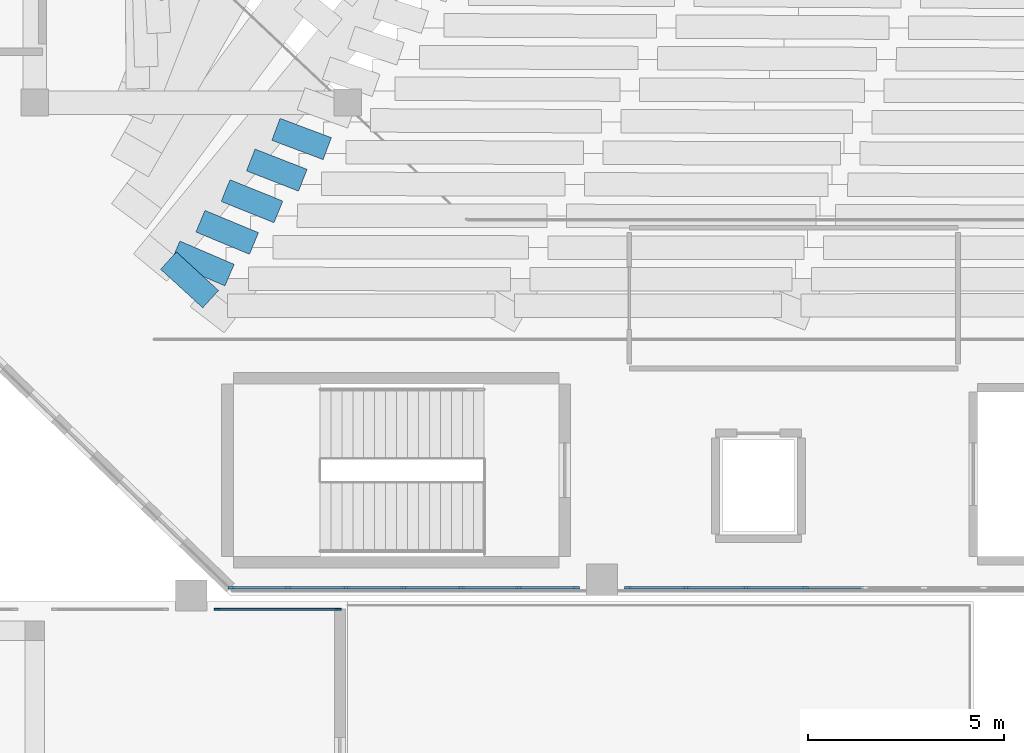
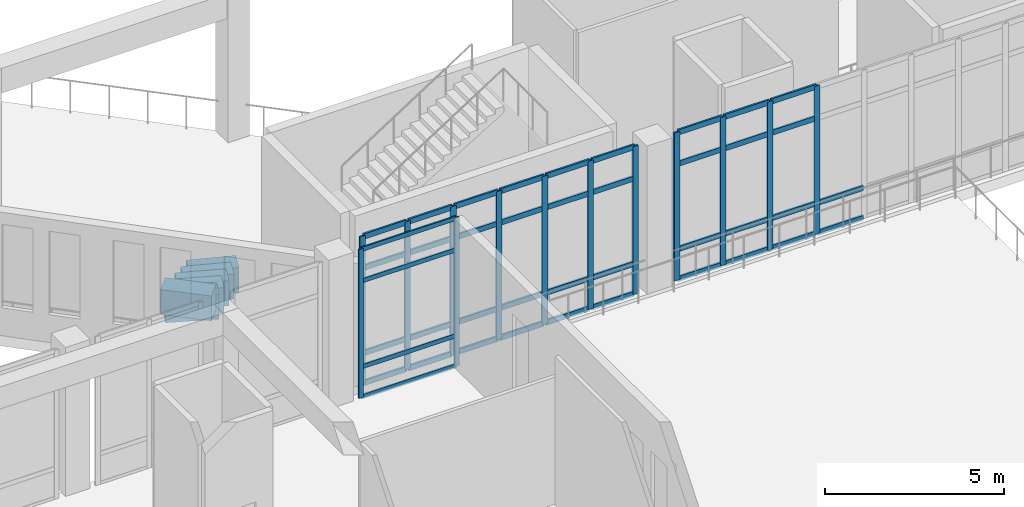
# One storey, part 6 of 55: 55 members, 6 beams, 3 elements without a shape of their own.
"""IFC4 building model written with IfcOpenShell, lengths in metres."""

from ifc_helpers import new_model, si_unit, derived_unit, direction, frame, origin, origin_2d, place, context, subcontext, project, spatial, rectangle, extrude, material, layer, layer_set, material_profile, profile_set, type_object, element, aggregate, save


model = new_model("IFC4")

# Units and contexts
model_context = context("Model", 3, precision=1e-05, world=origin(), true_north=direction((0.0, 1.0)))
body_context = subcontext(model_context, "Body", "Model", "MODEL_VIEW")
ifc_project = project(units=[si_unit("LENGTHUNIT", "METRE"), si_unit("AREAUNIT", "SQUARE_METRE"), si_unit("VOLUMEUNIT", "CUBIC_METRE"), si_unit("PLANEANGLEUNIT", "RADIAN"), si_unit("MASSUNIT", "GRAM", prefix="KILO"), derived_unit("THERMALTRANSMITTANCEUNIT", [(si_unit("MASSUNIT", "GRAM", prefix="KILO"), 1), (si_unit("TIMEUNIT", "SECOND"), -3), (si_unit("THERMODYNAMICTEMPERATUREUNIT", "KELVIN"), -1)])], contexts=[model_context])

# Site, building, storey
site_placement = place(None, origin())
site = spatial("IfcSite", under=ifc_project, at=site_placement, CompositionType="ELEMENT")
building_placement = place(site_placement, origin())
building = spatial("IfcBuilding", under=site, at=building_placement, Name="Valcora Ridge Arena", CompositionType="ELEMENT")
storey_placement = place(building_placement, frame((0.0, 0.0, 21.0)))
storey = spatial("IfcBuildingStorey", under=building, at=storey_placement, Name="L04", CompositionType="ELEMENT", Elevation=21.0)

# Beams
ifc_material_1 = material(Name="Concrete C40/50", Category="concrete")
ifc_material_profile_1 = material_profile(ifc_material_1, rectangle(XDim=0.60009765625, YDim=0.85009765625, at=origin_2d()), Name="RC 600x850")
ifc_profile_set_1 = profile_set([ifc_material_profile_1], Name="Concrete C40/50")
beam_type = type_object("IfcBeamType", Name="TY-BEAM-B-RC600-X", PredefinedType="BEAM", material=ifc_profile_set_1)
beam_1_placement = place(storey_placement, frame((30.165771484375, 31.914794921875, -3.905029296875), z_axis=(0.935819809838, -0.352478770304, 0.0), x_axis=(0.352478770304, 0.935819809838, 0.0)))
element("IfcBeam", 1, at=beam_1_placement, inside=storey, type_object=beam_type, Name="B-RC600-X BEM-RU3-B-RC600-X-0367", PredefinedType="BEAM", context=body_context, shape_type="SweptSolid", body=[
    extrude(rectangle(XDim=0.60009765625, YDim=0.85009765625, at=origin_2d()), origin(), (0.0, 0.0, 1.0), 1.401123046875),
])
beam_2_placement = place(storey_placement, frame((29.52197265625, 31.131591796875, -3.425048828125), z_axis=(0.931763874775, -0.363064844986, 0.0), x_axis=(0.363064844986, 0.931763874775, 0.0)))
element("IfcBeam", 2, at=beam_2_placement, inside=storey, type_object=beam_type, Name="B-RC600-X BEM-RU3-B-RC600-X-0397", PredefinedType="BEAM", context=body_context, shape_type="SweptSolid", body=[
    extrude(rectangle(XDim=0.60009765625, YDim=0.85009765625, at=origin_2d()), origin(), (0.0, 0.0, 1.0), 1.42822265625),
])
beam_3_placement = place(storey_placement, frame((28.87841796875, 30.3486328125, -2.945068359375), z_axis=(0.927606532512, -0.373558724757, 0.0), x_axis=(0.373558724757, 0.927606532512, 0.0)))
element("IfcBeam", 3, at=beam_3_placement, inside=storey, type_object=beam_type, Name="B-RC600-X BEM-RU3-B-RC600-X-0429", PredefinedType="BEAM", context=body_context, shape_type="SweptSolid", body=[
    extrude(rectangle(XDim=0.60009765625, YDim=0.85009765625, at=origin_2d()), origin(), (0.0, 0.0, 1.0), 1.45556640625),
])
beam_4_placement = place(storey_placement, frame((28.23486328125, 29.56591796875, -2.465087890625), z_axis=(0.923432099085, -0.383761851126, 0.0), x_axis=(0.383761851126, 0.923432099085, 0.0)))
element("IfcBeam", 4, at=beam_4_placement, inside=storey, type_object=beam_type, Name="B-RC600-X BEM-RU3-B-RC600-X-0461", PredefinedType="BEAM", context=body_context, shape_type="SweptSolid", body=[
    extrude(rectangle(XDim=0.60009765625, YDim=0.85009765625, at=origin_2d()), origin(), (0.0, 0.0, 1.0), 1.48291015625),
])
beam_5_placement = place(storey_placement, frame((27.59130859375, 28.783203125, -1.985107421875), z_axis=(0.919303790342, -0.393548651456, 0.0), x_axis=(0.393548651456, 0.919303790342, 0.0)))
element("IfcBeam", 5, at=beam_5_placement, inside=storey, type_object=beam_type, Name="B-RC600-X BEM-RU3-B-RC600-X-0493", PredefinedType="BEAM", context=body_context, shape_type="SweptSolid", body=[
    extrude(rectangle(XDim=0.60009765625, YDim=0.85009765625, at=origin_2d()), origin(), (0.0, 0.0, 1.0), 1.510498046875),
])
beam_6_placement = place(storey_placement, frame((27.4189453125, 28.558837890625, -1.5048828125), z_axis=(0.738083531523, -0.674709345196, 0.0), x_axis=(0.674709345196, 0.738083531523, 0.0)))
element("IfcBeam", 6, at=beam_6_placement, inside=storey, type_object=beam_type, Name="B-RC600-X BEM-RU3-B-RC600-X-0525", PredefinedType="BEAM", context=body_context, shape_type="SweptSolid", body=[
    extrude(rectangle(XDim=0.60009765625, YDim=0.85009765625, at=origin_2d()), origin(), (0.0, 0.0, 1.0), 1.4599609375),
])

# Curtain wall, members
ifc_material_2 = material(Name="Anodised dark bronze architectural aluminium 6063-T6", Category="aluminium")
ifc_layer_1 = layer(ifc_material_2, 0.14990234375, Name="Anodised dark bronze architectural aluminium 6063-T6")
ifc_layer_set_1 = layer_set([ifc_layer_1], Name="Anodised dark bronze architectural aluminium 6063-T6")
curtain_wall_type_1 = type_object("IfcCurtainWallType", Name="TY-CURTAINWALL-CW-V4-CLUB-031X51", PredefinedType="NOTDEFINED", material=ifc_layer_set_1)
curtain_wall_1_placement = place(storey_placement, origin())
curtain_wall_1 = element("IfcCurtainWall", 7, at=curtain_wall_1_placement, inside=storey, type_object=curtain_wall_type_1, Name="CW-V4-CLUB-031X51 CW-0303", PredefinedType="NOTDEFINED")
ifc_material_profile_2 = material_profile(ifc_material_2, rectangle(XDim=0.050048828125, YDim=0.14990234375, at=origin_2d()), Name="ALU MULLION 50x150")
ifc_profile_set_2 = profile_set([ifc_material_profile_2], Name="Anodised dark bronze architectural aluminium 6063-T6")
member_type_1 = type_object("IfcMemberType", Name="TY-MEM-CWM-50x150", PredefinedType="MULLION", material=ifc_profile_set_2)
member_1_placement = place(storey_placement, frame((28.6650390625, 19.64990234375, 0.0), z_axis=(0.0, 0.0, 1.0), x_axis=(0.0, 1.0, 0.0)))
member_1 = element("IfcMember", 8, at=member_1_placement, type_object=member_type_1, Name="CW-0303/CWM-50x150/M00", PredefinedType="MULLION", context=body_context, shape_type="SweptSolid", body=[
    extrude(rectangle(XDim=0.050048828125, YDim=0.14990234375, at=origin_2d()), origin(), (0.0, 0.0, 1.0), 5.080078125),
])
member_2_placement = place(storey_placement, frame((31.7548828125, 19.64990234375, 0.0), z_axis=(0.0, 0.0, 1.0), x_axis=(0.0, 1.0, 0.0)))
member_2 = element("IfcMember", 9, at=member_2_placement, type_object=member_type_1, Name="CW-0303/CWM-50x150/M01", PredefinedType="MULLION", context=body_context, shape_type="SweptSolid", body=[
    extrude(rectangle(XDim=0.050048828125, YDim=0.14990234375, at=origin_2d()), origin(), (0.0, 0.0, 1.0), 5.080078125),
])

ifc_layer_2 = layer(ifc_material_2, 0.179931640625, Name="Anodised dark bronze architectural aluminium 6063-T6")
ifc_layer_set_2 = layer_set([ifc_layer_2], Name="Anodised dark bronze architectural aluminium 6063-T6")
curtain_wall_type_2 = type_object("IfcCurtainWallType", Name="TY-CURTAINWALL-CW-V1-GOTH-089X51", PredefinedType="NOTDEFINED", material=ifc_layer_set_2)
curtain_wall_2_placement = place(storey_placement, origin())
curtain_wall_2 = element("IfcCurtainWall", 10, at=curtain_wall_2_placement, inside=storey, type_object=curtain_wall_type_2, Name="CW-V1-GOTH-089X51 CW-0153", PredefinedType="NOTDEFINED")
ifc_material_profile_3 = material_profile(ifc_material_2, rectangle(XDim=0.06005859375, YDim=0.179931640625, at=origin_2d()), Name="ALU MULLION 60x180")
ifc_profile_set_3 = profile_set([ifc_material_profile_3], Name="Anodised dark bronze architectural aluminium 6063-T6")
member_type_2 = type_object("IfcMemberType", Name="TY-MEM-CWM-60x180", PredefinedType="MULLION", material=ifc_profile_set_3)
member_3_placement = place(storey_placement, frame((29.030029296875, 20.199951171875, 0.0), z_axis=(0.0, 0.0, 1.0), x_axis=(0.0, 1.0, 0.0)))
member_3 = element("IfcMember", 11, at=member_3_placement, type_object=member_type_2, Name="CW-0153/CWM-60x180/M00", PredefinedType="MULLION", context=body_context, shape_type="SweptSolid", body=[
    extrude(rectangle(XDim=0.06005859375, YDim=0.179931640625, at=origin_2d()), origin(), (0.0, 0.0, 1.0), 5.06005859375),
])
member_4_placement = place(storey_placement, frame((30.476806640625, 20.199951171875, 0.0), z_axis=(0.0, 0.0, 1.0), x_axis=(0.0, 1.0, 0.0)))
member_4 = element("IfcMember", 12, at=member_4_placement, type_object=member_type_2, Name="CW-0153/CWM-60x180/M01", PredefinedType="MULLION", context=body_context, shape_type="SweptSolid", body=[
    extrude(rectangle(XDim=0.06005859375, YDim=0.179931640625, at=origin_2d()), origin(), (0.0, 0.0, 1.0), 5.06005859375),
])
member_5_placement = place(storey_placement, frame((31.953369140625, 20.199951171875, 0.0), z_axis=(0.0, 0.0, 1.0), x_axis=(0.0, 1.0, 0.0)))
member_5 = element("IfcMember", 13, at=member_5_placement, type_object=member_type_2, Name="CW-0153/CWM-60x180/M02", PredefinedType="MULLION", context=body_context, shape_type="SweptSolid", body=[
    extrude(rectangle(XDim=0.06005859375, YDim=0.179931640625, at=origin_2d()), origin(), (0.0, 0.0, 1.0), 5.06005859375),
])
member_6_placement = place(storey_placement, frame((33.429931640625, 20.199951171875, 0.0), z_axis=(0.0, 0.0, 1.0), x_axis=(0.0, 1.0, 0.0)))
member_6 = element("IfcMember", 14, at=member_6_placement, type_object=member_type_2, Name="CW-0153/CWM-60x180/M03", PredefinedType="MULLION", context=body_context, shape_type="SweptSolid", body=[
    extrude(rectangle(XDim=0.06005859375, YDim=0.179931640625, at=origin_2d()), origin(), (0.0, 0.0, 1.0), 5.06005859375),
])
member_7_placement = place(storey_placement, frame((34.90673828125, 20.199951171875, 0.0), z_axis=(0.0, 0.0, 1.0), x_axis=(0.0, 1.0, 0.0)))
member_7 = element("IfcMember", 15, at=member_7_placement, type_object=member_type_2, Name="CW-0153/CWM-60x180/M04", PredefinedType="MULLION", context=body_context, shape_type="SweptSolid", body=[
    extrude(rectangle(XDim=0.06005859375, YDim=0.179931640625, at=origin_2d()), origin(), (0.0, 0.0, 1.0), 5.06005859375),
])
member_8_placement = place(storey_placement, frame((36.38330078125, 20.199951171875, 0.0), z_axis=(0.0, 0.0, 1.0), x_axis=(0.0, 1.0, 0.0)))
member_8 = element("IfcMember", 16, at=member_8_placement, type_object=member_type_2, Name="CW-0153/CWM-60x180/M05", PredefinedType="MULLION", context=body_context, shape_type="SweptSolid", body=[
    extrude(rectangle(XDim=0.06005859375, YDim=0.179931640625, at=origin_2d()), origin(), (0.0, 0.0, 1.0), 5.06005859375),
])
member_9_placement = place(storey_placement, frame((37.830078125, 20.199951171875, 0.0), z_axis=(0.0, 0.0, 1.0), x_axis=(0.0, 1.0, 0.0)))
member_9 = element("IfcMember", 17, at=member_9_placement, type_object=member_type_2, Name="CW-0153/CWM-60x180/M06", PredefinedType="MULLION", context=body_context, shape_type="SweptSolid", body=[
    extrude(rectangle(XDim=0.06005859375, YDim=0.179931640625, at=origin_2d()), origin(), (0.0, 0.0, 1.0), 5.06005859375),
])

ifc_layer_3 = layer(ifc_material_2, 0.179931640625, Name="Anodised dark bronze architectural aluminium 6063-T6")
ifc_layer_set_3 = layer_set([ifc_layer_3], Name="Anodised dark bronze architectural aluminium 6063-T6")
curtain_wall_type_3 = type_object("IfcCurtainWallType", Name="TY-CURTAINWALL-CW-V1-GOTH-182X51", PredefinedType="NOTDEFINED", material=ifc_layer_set_3)
curtain_wall_3_placement = place(storey_placement, origin())
curtain_wall_3 = element("IfcCurtainWall", 18, at=curtain_wall_3_placement, inside=storey, type_object=curtain_wall_type_3, Name="CW-V1-GOTH-182X51 CW-0154", PredefinedType="NOTDEFINED")
member_10_placement = place(storey_placement, frame((39.169921875, 20.199951171875, 0.0), z_axis=(0.0, 0.0, 1.0), x_axis=(0.0, 1.0, 0.0)))
member_10 = element("IfcMember", 19, at=member_10_placement, type_object=member_type_2, Name="CW-0154/CWM-60x180/M00", PredefinedType="MULLION", context=body_context, shape_type="SweptSolid", body=[
    extrude(rectangle(XDim=0.06005859375, YDim=0.179931640625, at=origin_2d()), origin(), (0.0, 0.0, 1.0), 5.06005859375),
])
member_11_placement = place(storey_placement, frame((40.658203125, 20.199951171875, 0.0), z_axis=(0.0, 0.0, 1.0), x_axis=(0.0, 1.0, 0.0)))
member_11 = element("IfcMember", 20, at=member_11_placement, type_object=member_type_2, Name="CW-0154/CWM-60x180/M01", PredefinedType="MULLION", context=body_context, shape_type="SweptSolid", body=[
    extrude(rectangle(XDim=0.06005859375, YDim=0.179931640625, at=origin_2d()), origin(), (0.0, 0.0, 1.0), 5.06005859375),
])
member_12_placement = place(storey_placement, frame((42.1767578125, 20.199951171875, 0.0), z_axis=(0.0, 0.0, 1.0), x_axis=(0.0, 1.0, 0.0)))
member_12 = element("IfcMember", 21, at=member_12_placement, type_object=member_type_2, Name="CW-0154/CWM-60x180/M02", PredefinedType="MULLION", context=body_context, shape_type="SweptSolid", body=[
    extrude(rectangle(XDim=0.06005859375, YDim=0.179931640625, at=origin_2d()), origin(), (0.0, 0.0, 1.0), 5.06005859375),
])
member_13_placement = place(storey_placement, frame((43.695068359375, 20.199951171875, 0.0), z_axis=(0.0, 0.0, 1.0), x_axis=(0.0, 1.0, 0.0)))
member_13 = element("IfcMember", 22, at=member_13_placement, type_object=member_type_2, Name="CW-0154/CWM-60x180/M03", PredefinedType="MULLION", context=body_context, shape_type="SweptSolid", body=[
    extrude(rectangle(XDim=0.06005859375, YDim=0.179931640625, at=origin_2d()), origin(), (0.0, 0.0, 1.0), 5.06005859375),
])

# Member
ifc_material_profile_4 = material_profile(ifc_material_2, rectangle(XDim=0.050048828125, YDim=0.14990234375, at=origin_2d()), Name="ALU TRANSOM 50x150")
ifc_profile_set_4 = profile_set([ifc_material_profile_4], Name="Anodised dark bronze architectural aluminium 6063-T6")
member_type_3 = type_object("IfcMemberType", Name="TY-MEM-CWT-50x150", PredefinedType="USERDEFINED", material=ifc_profile_set_4)
member_14_placement = place(storey_placement, frame((28.68994140625, 19.64990234375, 0.02490234375), z_axis=(1.0, 0.0, 0.0), x_axis=(0.0, 1.0, 0.0)))
member_14 = element("IfcMember", 23, at=member_14_placement, type_object=member_type_3, Name="CW-0303/CWT-50x150/T00-00", ObjectType="TRANSOM", PredefinedType="USERDEFINED", context=body_context, shape_type="SweptSolid", body=[
    extrude(rectangle(XDim=0.050048828125, YDim=0.14990234375, at=origin_2d()), origin(), (0.0, 0.0, 1.0), 3.0400390625),
])

member_15_placement = place(storey_placement, frame((28.68994140625, 19.64990234375, 1.050048828125), z_axis=(1.0, 0.0, 0.0), x_axis=(0.0, 1.0, 0.0)))
member_15 = element("IfcMember", 24, at=member_15_placement, type_object=member_type_3, Name="CW-0303/CWT-50x150/T00-01", ObjectType="TRANSOM", PredefinedType="USERDEFINED", context=body_context, shape_type="SweptSolid", body=[
    extrude(rectangle(XDim=0.050048828125, YDim=0.14990234375, at=origin_2d()), origin(), (0.0, 0.0, 1.0), 3.0400390625),
])

member_16_placement = place(storey_placement, frame((28.68994140625, 19.64990234375, 3.97998046875), z_axis=(1.0, 0.0, 0.0), x_axis=(0.0, 1.0, 0.0)))
member_16 = element("IfcMember", 25, at=member_16_placement, type_object=member_type_3, Name="CW-0303/CWT-50x150/T00-02", ObjectType="TRANSOM", PredefinedType="USERDEFINED", context=body_context, shape_type="SweptSolid", body=[
    extrude(rectangle(XDim=0.050048828125, YDim=0.14990234375, at=origin_2d()), origin(), (0.0, 0.0, 1.0), 3.0400390625),
])

member_17_placement = place(storey_placement, frame((28.68994140625, 19.64990234375, 5.054931640625), z_axis=(1.0, 0.0, 0.0), x_axis=(0.0, 1.0, 0.0)))
member_17 = element("IfcMember", 26, at=member_17_placement, type_object=member_type_3, Name="CW-0303/CWT-50x150/T00-03", ObjectType="TRANSOM", PredefinedType="USERDEFINED", context=body_context, shape_type="SweptSolid", body=[
    extrude(rectangle(XDim=0.050048828125, YDim=0.14990234375, at=origin_2d()), origin(), (0.0, 0.0, 1.0), 3.0400390625),
])

aggregate(curtain_wall_1, [member_1, member_2, member_14, member_15, member_16, member_17])

ifc_material_profile_5 = material_profile(ifc_material_2, rectangle(XDim=0.06005859375, YDim=0.179931640625, at=origin_2d()), Name="ALU TRANSOM 60x180")
ifc_profile_set_5 = profile_set([ifc_material_profile_5], Name="Anodised dark bronze architectural aluminium 6063-T6")
member_type_4 = type_object("IfcMemberType", Name="TY-MEM-CWT-60x180", PredefinedType="USERDEFINED", material=ifc_profile_set_5)
member_18_placement = place(storey_placement, frame((29.06005859375, 20.199951171875, 0.030029296875), z_axis=(1.0, 0.0, 0.0), x_axis=(0.0, 1.0, 0.0)))
member_18 = element("IfcMember", 27, at=member_18_placement, type_object=member_type_4, Name="CW-0153/CWT-60x180/T00-00", ObjectType="TRANSOM", PredefinedType="USERDEFINED", context=body_context, shape_type="SweptSolid", body=[
    extrude(rectangle(XDim=0.06005859375, YDim=0.179931640625, at=origin_2d()), origin(), (0.0, 0.0, 1.0), 1.386962890625),
])

member_19_placement = place(storey_placement, frame((29.06005859375, 20.199951171875, 1.050048828125), z_axis=(1.0, 0.0, 0.0), x_axis=(0.0, 1.0, 0.0)))
member_19 = element("IfcMember", 28, at=member_19_placement, type_object=member_type_4, Name="CW-0153/CWT-60x180/T00-01", ObjectType="TRANSOM", PredefinedType="USERDEFINED", context=body_context, shape_type="SweptSolid", body=[
    extrude(rectangle(XDim=0.06005859375, YDim=0.179931640625, at=origin_2d()), origin(), (0.0, 0.0, 1.0), 1.386962890625),
])

member_20_placement = place(storey_placement, frame((29.06005859375, 20.199951171875, 3.9599609375), z_axis=(1.0, 0.0, 0.0), x_axis=(0.0, 1.0, 0.0)))
member_20 = element("IfcMember", 29, at=member_20_placement, type_object=member_type_4, Name="CW-0153/CWT-60x180/T00-02", ObjectType="TRANSOM", PredefinedType="USERDEFINED", context=body_context, shape_type="SweptSolid", body=[
    extrude(rectangle(XDim=0.06005859375, YDim=0.179931640625, at=origin_2d()), origin(), (0.0, 0.0, 1.0), 1.386962890625),
])

member_21_placement = place(storey_placement, frame((29.06005859375, 20.199951171875, 5.030029296875), z_axis=(1.0, 0.0, 0.0), x_axis=(0.0, 1.0, 0.0)))
member_21 = element("IfcMember", 30, at=member_21_placement, type_object=member_type_4, Name="CW-0153/CWT-60x180/T00-03", ObjectType="TRANSOM", PredefinedType="USERDEFINED", context=body_context, shape_type="SweptSolid", body=[
    extrude(rectangle(XDim=0.06005859375, YDim=0.179931640625, at=origin_2d()), origin(), (0.0, 0.0, 1.0), 1.386962890625),
])

member_22_placement = place(storey_placement, frame((30.507080078125, 20.199951171875, 0.030029296875), z_axis=(1.0, 0.0, 0.0), x_axis=(0.0, 1.0, 0.0)))
member_22 = element("IfcMember", 31, at=member_22_placement, type_object=member_type_4, Name="CW-0153/CWT-60x180/T01-00", ObjectType="TRANSOM", PredefinedType="USERDEFINED", context=body_context, shape_type="SweptSolid", body=[
    extrude(rectangle(XDim=0.06005859375, YDim=0.179931640625, at=origin_2d()), origin(), (0.0, 0.0, 1.0), 1.416015625),
])

member_23_placement = place(storey_placement, frame((30.507080078125, 20.199951171875, 1.050048828125), z_axis=(1.0, 0.0, 0.0), x_axis=(0.0, 1.0, 0.0)))
member_23 = element("IfcMember", 32, at=member_23_placement, type_object=member_type_4, Name="CW-0153/CWT-60x180/T01-01", ObjectType="TRANSOM", PredefinedType="USERDEFINED", context=body_context, shape_type="SweptSolid", body=[
    extrude(rectangle(XDim=0.06005859375, YDim=0.179931640625, at=origin_2d()), origin(), (0.0, 0.0, 1.0), 1.416015625),
])

member_24_placement = place(storey_placement, frame((30.507080078125, 20.199951171875, 3.9599609375), z_axis=(1.0, 0.0, 0.0), x_axis=(0.0, 1.0, 0.0)))
member_24 = element("IfcMember", 33, at=member_24_placement, type_object=member_type_4, Name="CW-0153/CWT-60x180/T01-02", ObjectType="TRANSOM", PredefinedType="USERDEFINED", context=body_context, shape_type="SweptSolid", body=[
    extrude(rectangle(XDim=0.06005859375, YDim=0.179931640625, at=origin_2d()), origin(), (0.0, 0.0, 1.0), 1.416015625),
])

member_25_placement = place(storey_placement, frame((30.507080078125, 20.199951171875, 5.030029296875), z_axis=(1.0, 0.0, 0.0), x_axis=(0.0, 1.0, 0.0)))
member_25 = element("IfcMember", 34, at=member_25_placement, type_object=member_type_4, Name="CW-0153/CWT-60x180/T01-03", ObjectType="TRANSOM", PredefinedType="USERDEFINED", context=body_context, shape_type="SweptSolid", body=[
    extrude(rectangle(XDim=0.06005859375, YDim=0.179931640625, at=origin_2d()), origin(), (0.0, 0.0, 1.0), 1.416015625),
])

member_26_placement = place(storey_placement, frame((31.98291015625, 20.199951171875, 0.030029296875), z_axis=(1.0, 0.0, 0.0), x_axis=(0.0, 1.0, 0.0)))
member_26 = element("IfcMember", 35, at=member_26_placement, type_object=member_type_4, Name="CW-0153/CWT-60x180/T02-00", ObjectType="TRANSOM", PredefinedType="USERDEFINED", context=body_context, shape_type="SweptSolid", body=[
    extrude(rectangle(XDim=0.06005859375, YDim=0.179931640625, at=origin_2d()), origin(), (0.0, 0.0, 1.0), 1.4169921875),
])

member_27_placement = place(storey_placement, frame((31.98291015625, 20.199951171875, 1.050048828125), z_axis=(1.0, 0.0, 0.0), x_axis=(0.0, 1.0, 0.0)))
member_27 = element("IfcMember", 36, at=member_27_placement, type_object=member_type_4, Name="CW-0153/CWT-60x180/T02-01", ObjectType="TRANSOM", PredefinedType="USERDEFINED", context=body_context, shape_type="SweptSolid", body=[
    extrude(rectangle(XDim=0.06005859375, YDim=0.179931640625, at=origin_2d()), origin(), (0.0, 0.0, 1.0), 1.4169921875),
])

member_28_placement = place(storey_placement, frame((31.98291015625, 20.199951171875, 3.9599609375), z_axis=(1.0, 0.0, 0.0), x_axis=(0.0, 1.0, 0.0)))
member_28 = element("IfcMember", 37, at=member_28_placement, type_object=member_type_4, Name="CW-0153/CWT-60x180/T02-02", ObjectType="TRANSOM", PredefinedType="USERDEFINED", context=body_context, shape_type="SweptSolid", body=[
    extrude(rectangle(XDim=0.06005859375, YDim=0.179931640625, at=origin_2d()), origin(), (0.0, 0.0, 1.0), 1.4169921875),
])

member_29_placement = place(storey_placement, frame((31.98291015625, 20.199951171875, 5.030029296875), z_axis=(1.0, 0.0, 0.0), x_axis=(0.0, 1.0, 0.0)))
member_29 = element("IfcMember", 38, at=member_29_placement, type_object=member_type_4, Name="CW-0153/CWT-60x180/T02-03", ObjectType="TRANSOM", PredefinedType="USERDEFINED", context=body_context, shape_type="SweptSolid", body=[
    extrude(rectangle(XDim=0.06005859375, YDim=0.179931640625, at=origin_2d()), origin(), (0.0, 0.0, 1.0), 1.4169921875),
])

member_30_placement = place(storey_placement, frame((33.4599609375, 20.199951171875, 0.030029296875), z_axis=(1.0, 0.0, 0.0), x_axis=(0.0, 1.0, 0.0)))
member_30 = element("IfcMember", 39, at=member_30_placement, type_object=member_type_4, Name="CW-0153/CWT-60x180/T03-00", ObjectType="TRANSOM", PredefinedType="USERDEFINED", context=body_context, shape_type="SweptSolid", body=[
    extrude(rectangle(XDim=0.06005859375, YDim=0.179931640625, at=origin_2d()), origin(), (0.0, 0.0, 1.0), 1.4169921875),
])

member_31_placement = place(storey_placement, frame((33.4599609375, 20.199951171875, 1.050048828125), z_axis=(1.0, 0.0, 0.0), x_axis=(0.0, 1.0, 0.0)))
member_31 = element("IfcMember", 40, at=member_31_placement, type_object=member_type_4, Name="CW-0153/CWT-60x180/T03-01", ObjectType="TRANSOM", PredefinedType="USERDEFINED", context=body_context, shape_type="SweptSolid", body=[
    extrude(rectangle(XDim=0.06005859375, YDim=0.179931640625, at=origin_2d()), origin(), (0.0, 0.0, 1.0), 1.4169921875),
])

member_32_placement = place(storey_placement, frame((33.4599609375, 20.199951171875, 3.9599609375), z_axis=(1.0, 0.0, 0.0), x_axis=(0.0, 1.0, 0.0)))
member_32 = element("IfcMember", 41, at=member_32_placement, type_object=member_type_4, Name="CW-0153/CWT-60x180/T03-02", ObjectType="TRANSOM", PredefinedType="USERDEFINED", context=body_context, shape_type="SweptSolid", body=[
    extrude(rectangle(XDim=0.06005859375, YDim=0.179931640625, at=origin_2d()), origin(), (0.0, 0.0, 1.0), 1.4169921875),
])

member_33_placement = place(storey_placement, frame((33.4599609375, 20.199951171875, 5.030029296875), z_axis=(1.0, 0.0, 0.0), x_axis=(0.0, 1.0, 0.0)))
member_33 = element("IfcMember", 42, at=member_33_placement, type_object=member_type_4, Name="CW-0153/CWT-60x180/T03-03", ObjectType="TRANSOM", PredefinedType="USERDEFINED", context=body_context, shape_type="SweptSolid", body=[
    extrude(rectangle(XDim=0.06005859375, YDim=0.179931640625, at=origin_2d()), origin(), (0.0, 0.0, 1.0), 1.4169921875),
])

member_34_placement = place(storey_placement, frame((34.93701171875, 20.199951171875, 0.030029296875), z_axis=(1.0, 0.0, 0.0), x_axis=(0.0, 1.0, 0.0)))
member_34 = element("IfcMember", 43, at=member_34_placement, type_object=member_type_4, Name="CW-0153/CWT-60x180/T04-00", ObjectType="TRANSOM", PredefinedType="USERDEFINED", context=body_context, shape_type="SweptSolid", body=[
    extrude(rectangle(XDim=0.06005859375, YDim=0.179931640625, at=origin_2d()), origin(), (0.0, 0.0, 1.0), 1.416015625),
])

member_35_placement = place(storey_placement, frame((34.93701171875, 20.199951171875, 1.050048828125), z_axis=(1.0, 0.0, 0.0), x_axis=(0.0, 1.0, 0.0)))
member_35 = element("IfcMember", 44, at=member_35_placement, type_object=member_type_4, Name="CW-0153/CWT-60x180/T04-01", ObjectType="TRANSOM", PredefinedType="USERDEFINED", context=body_context, shape_type="SweptSolid", body=[
    extrude(rectangle(XDim=0.06005859375, YDim=0.179931640625, at=origin_2d()), origin(), (0.0, 0.0, 1.0), 1.416015625),
])

member_36_placement = place(storey_placement, frame((34.93701171875, 20.199951171875, 3.9599609375), z_axis=(1.0, 0.0, 0.0), x_axis=(0.0, 1.0, 0.0)))
member_36 = element("IfcMember", 45, at=member_36_placement, type_object=member_type_4, Name="CW-0153/CWT-60x180/T04-02", ObjectType="TRANSOM", PredefinedType="USERDEFINED", context=body_context, shape_type="SweptSolid", body=[
    extrude(rectangle(XDim=0.06005859375, YDim=0.179931640625, at=origin_2d()), origin(), (0.0, 0.0, 1.0), 1.416015625),
])

member_37_placement = place(storey_placement, frame((34.93701171875, 20.199951171875, 5.030029296875), z_axis=(1.0, 0.0, 0.0), x_axis=(0.0, 1.0, 0.0)))
member_37 = element("IfcMember", 46, at=member_37_placement, type_object=member_type_4, Name="CW-0153/CWT-60x180/T04-03", ObjectType="TRANSOM", PredefinedType="USERDEFINED", context=body_context, shape_type="SweptSolid", body=[
    extrude(rectangle(XDim=0.06005859375, YDim=0.179931640625, at=origin_2d()), origin(), (0.0, 0.0, 1.0), 1.416015625),
])

member_38_placement = place(storey_placement, frame((36.4130859375, 20.199951171875, 0.030029296875), z_axis=(1.0, 0.0, 0.0), x_axis=(0.0, 1.0, 0.0)))
member_38 = element("IfcMember", 47, at=member_38_placement, type_object=member_type_4, Name="CW-0153/CWT-60x180/T05-00", ObjectType="TRANSOM", PredefinedType="USERDEFINED", context=body_context, shape_type="SweptSolid", body=[
    extrude(rectangle(XDim=0.06005859375, YDim=0.179931640625, at=origin_2d()), origin(), (0.0, 0.0, 1.0), 1.386962890625),
])

member_39_placement = place(storey_placement, frame((36.4130859375, 20.199951171875, 1.050048828125), z_axis=(1.0, 0.0, 0.0), x_axis=(0.0, 1.0, 0.0)))
member_39 = element("IfcMember", 48, at=member_39_placement, type_object=member_type_4, Name="CW-0153/CWT-60x180/T05-01", ObjectType="TRANSOM", PredefinedType="USERDEFINED", context=body_context, shape_type="SweptSolid", body=[
    extrude(rectangle(XDim=0.06005859375, YDim=0.179931640625, at=origin_2d()), origin(), (0.0, 0.0, 1.0), 1.386962890625),
])

member_40_placement = place(storey_placement, frame((36.4130859375, 20.199951171875, 3.9599609375), z_axis=(1.0, 0.0, 0.0), x_axis=(0.0, 1.0, 0.0)))
member_40 = element("IfcMember", 49, at=member_40_placement, type_object=member_type_4, Name="CW-0153/CWT-60x180/T05-02", ObjectType="TRANSOM", PredefinedType="USERDEFINED", context=body_context, shape_type="SweptSolid", body=[
    extrude(rectangle(XDim=0.06005859375, YDim=0.179931640625, at=origin_2d()), origin(), (0.0, 0.0, 1.0), 1.386962890625),
])

member_41_placement = place(storey_placement, frame((36.4130859375, 20.199951171875, 5.030029296875), z_axis=(1.0, 0.0, 0.0), x_axis=(0.0, 1.0, 0.0)))
member_41 = element("IfcMember", 50, at=member_41_placement, type_object=member_type_4, Name="CW-0153/CWT-60x180/T05-03", ObjectType="TRANSOM", PredefinedType="USERDEFINED", context=body_context, shape_type="SweptSolid", body=[
    extrude(rectangle(XDim=0.06005859375, YDim=0.179931640625, at=origin_2d()), origin(), (0.0, 0.0, 1.0), 1.386962890625),
])

aggregate(curtain_wall_2, [member_3, member_4, member_5, member_6, member_7, member_8, member_9, member_18, member_19, member_20, member_21, member_22, member_23, member_24, member_25, member_26, member_27, member_28, member_29, member_30, member_31, member_32, member_33, member_34, member_35, member_36, member_37, member_38, member_39, member_40, member_41])

member_42_placement = place(storey_placement, frame((39.199951171875, 20.199951171875, 0.030029296875), z_axis=(1.0, 0.0, 0.0), x_axis=(0.0, 1.0, 0.0)))
member_42 = element("IfcMember", 51, at=member_42_placement, type_object=member_type_4, Name="CW-0154/CWT-60x180/T00-00", ObjectType="TRANSOM", PredefinedType="USERDEFINED", context=body_context, shape_type="SweptSolid", body=[
    extrude(rectangle(XDim=0.06005859375, YDim=0.179931640625, at=origin_2d()), origin(), (0.0, 0.0, 1.0), 1.427978515625),
])

member_43_placement = place(storey_placement, frame((39.199951171875, 20.199951171875, 1.050048828125), z_axis=(1.0, 0.0, 0.0), x_axis=(0.0, 1.0, 0.0)))
member_43 = element("IfcMember", 52, at=member_43_placement, type_object=member_type_4, Name="CW-0154/CWT-60x180/T00-01", ObjectType="TRANSOM", PredefinedType="USERDEFINED", context=body_context, shape_type="SweptSolid", body=[
    extrude(rectangle(XDim=0.06005859375, YDim=0.179931640625, at=origin_2d()), origin(), (0.0, 0.0, 1.0), 1.427978515625),
])

member_44_placement = place(storey_placement, frame((39.199951171875, 20.199951171875, 3.9599609375), z_axis=(1.0, 0.0, 0.0), x_axis=(0.0, 1.0, 0.0)))
member_44 = element("IfcMember", 53, at=member_44_placement, type_object=member_type_4, Name="CW-0154/CWT-60x180/T00-02", ObjectType="TRANSOM", PredefinedType="USERDEFINED", context=body_context, shape_type="SweptSolid", body=[
    extrude(rectangle(XDim=0.06005859375, YDim=0.179931640625, at=origin_2d()), origin(), (0.0, 0.0, 1.0), 1.427978515625),
])

member_45_placement = place(storey_placement, frame((39.199951171875, 20.199951171875, 5.030029296875), z_axis=(1.0, 0.0, 0.0), x_axis=(0.0, 1.0, 0.0)))
member_45 = element("IfcMember", 54, at=member_45_placement, type_object=member_type_4, Name="CW-0154/CWT-60x180/T00-03", ObjectType="TRANSOM", PredefinedType="USERDEFINED", context=body_context, shape_type="SweptSolid", body=[
    extrude(rectangle(XDim=0.06005859375, YDim=0.179931640625, at=origin_2d()), origin(), (0.0, 0.0, 1.0), 1.427978515625),
])

member_46_placement = place(storey_placement, frame((40.68798828125, 20.199951171875, 0.030029296875), z_axis=(1.0, 0.0, 0.0), x_axis=(0.0, 1.0, 0.0)))
member_46 = element("IfcMember", 55, at=member_46_placement, type_object=member_type_4, Name="CW-0154/CWT-60x180/T01-00", ObjectType="TRANSOM", PredefinedType="USERDEFINED", context=body_context, shape_type="SweptSolid", body=[
    extrude(rectangle(XDim=0.06005859375, YDim=0.179931640625, at=origin_2d()), origin(), (0.0, 0.0, 1.0), 1.458984375),
])

member_47_placement = place(storey_placement, frame((40.68798828125, 20.199951171875, 1.050048828125), z_axis=(1.0, 0.0, 0.0), x_axis=(0.0, 1.0, 0.0)))
member_47 = element("IfcMember", 56, at=member_47_placement, type_object=member_type_4, Name="CW-0154/CWT-60x180/T01-01", ObjectType="TRANSOM", PredefinedType="USERDEFINED", context=body_context, shape_type="SweptSolid", body=[
    extrude(rectangle(XDim=0.06005859375, YDim=0.179931640625, at=origin_2d()), origin(), (0.0, 0.0, 1.0), 1.458984375),
])

member_48_placement = place(storey_placement, frame((40.68798828125, 20.199951171875, 3.9599609375), z_axis=(1.0, 0.0, 0.0), x_axis=(0.0, 1.0, 0.0)))
member_48 = element("IfcMember", 57, at=member_48_placement, type_object=member_type_4, Name="CW-0154/CWT-60x180/T01-02", ObjectType="TRANSOM", PredefinedType="USERDEFINED", context=body_context, shape_type="SweptSolid", body=[
    extrude(rectangle(XDim=0.06005859375, YDim=0.179931640625, at=origin_2d()), origin(), (0.0, 0.0, 1.0), 1.458984375),
])

member_49_placement = place(storey_placement, frame((40.68798828125, 20.199951171875, 5.030029296875), z_axis=(1.0, 0.0, 0.0), x_axis=(0.0, 1.0, 0.0)))
member_49 = element("IfcMember", 58, at=member_49_placement, type_object=member_type_4, Name="CW-0154/CWT-60x180/T01-03", ObjectType="TRANSOM", PredefinedType="USERDEFINED", context=body_context, shape_type="SweptSolid", body=[
    extrude(rectangle(XDim=0.06005859375, YDim=0.179931640625, at=origin_2d()), origin(), (0.0, 0.0, 1.0), 1.458984375),
])

member_50_placement = place(storey_placement, frame((42.20703125, 20.199951171875, 0.030029296875), z_axis=(1.0, 0.0, 0.0), x_axis=(0.0, 1.0, 0.0)))
member_50 = element("IfcMember", 59, at=member_50_placement, type_object=member_type_4, Name="CW-0154/CWT-60x180/T02-00", ObjectType="TRANSOM", PredefinedType="USERDEFINED", context=body_context, shape_type="SweptSolid", body=[
    extrude(rectangle(XDim=0.06005859375, YDim=0.179931640625, at=origin_2d()), origin(), (0.0, 0.0, 1.0), 1.4580078125),
])

member_51_placement = place(storey_placement, frame((42.20703125, 20.199951171875, 1.050048828125), z_axis=(1.0, 0.0, 0.0), x_axis=(0.0, 1.0, 0.0)))
member_51 = element("IfcMember", 60, at=member_51_placement, type_object=member_type_4, Name="CW-0154/CWT-60x180/T02-01", ObjectType="TRANSOM", PredefinedType="USERDEFINED", context=body_context, shape_type="SweptSolid", body=[
    extrude(rectangle(XDim=0.06005859375, YDim=0.179931640625, at=origin_2d()), origin(), (0.0, 0.0, 1.0), 1.4580078125),
])

member_52_placement = place(storey_placement, frame((42.20703125, 20.199951171875, 3.9599609375), z_axis=(1.0, 0.0, 0.0), x_axis=(0.0, 1.0, 0.0)))
member_52 = element("IfcMember", 61, at=member_52_placement, type_object=member_type_4, Name="CW-0154/CWT-60x180/T02-02", ObjectType="TRANSOM", PredefinedType="USERDEFINED", context=body_context, shape_type="SweptSolid", body=[
    extrude(rectangle(XDim=0.06005859375, YDim=0.179931640625, at=origin_2d()), origin(), (0.0, 0.0, 1.0), 1.4580078125),
])

member_53_placement = place(storey_placement, frame((42.20703125, 20.199951171875, 5.030029296875), z_axis=(1.0, 0.0, 0.0), x_axis=(0.0, 1.0, 0.0)))
member_53 = element("IfcMember", 62, at=member_53_placement, type_object=member_type_4, Name="CW-0154/CWT-60x180/T02-03", ObjectType="TRANSOM", PredefinedType="USERDEFINED", context=body_context, shape_type="SweptSolid", body=[
    extrude(rectangle(XDim=0.06005859375, YDim=0.179931640625, at=origin_2d()), origin(), (0.0, 0.0, 1.0), 1.4580078125),
])

member_54_placement = place(storey_placement, frame((43.72509765625, 20.199951171875, 0.030029296875), z_axis=(1.0, 0.0, 0.0), x_axis=(0.0, 1.0, 0.0)))
member_54 = element("IfcMember", 63, at=member_54_placement, type_object=member_type_4, Name="CW-0154/CWT-60x180/T03-00", ObjectType="TRANSOM", PredefinedType="USERDEFINED", context=body_context, shape_type="SweptSolid", body=[
    extrude(rectangle(XDim=0.06005859375, YDim=0.179931640625, at=origin_2d()), origin(), (0.0, 0.0, 1.0), 1.4580078125),
])

member_55_placement = place(storey_placement, frame((43.72509765625, 20.199951171875, 1.050048828125), z_axis=(1.0, 0.0, 0.0), x_axis=(0.0, 1.0, 0.0)))
member_55 = element("IfcMember", 64, at=member_55_placement, type_object=member_type_4, Name="CW-0154/CWT-60x180/T03-01", ObjectType="TRANSOM", PredefinedType="USERDEFINED", context=body_context, shape_type="SweptSolid", body=[
    extrude(rectangle(XDim=0.06005859375, YDim=0.179931640625, at=origin_2d()), origin(), (0.0, 0.0, 1.0), 1.4580078125),
])

aggregate(curtain_wall_3, [member_10, member_11, member_12, member_13, member_42, member_43, member_44, member_45, member_46, member_47, member_48, member_49, member_50, member_51, member_52, member_53, member_54, member_55])

save(model, "model.ifc")
